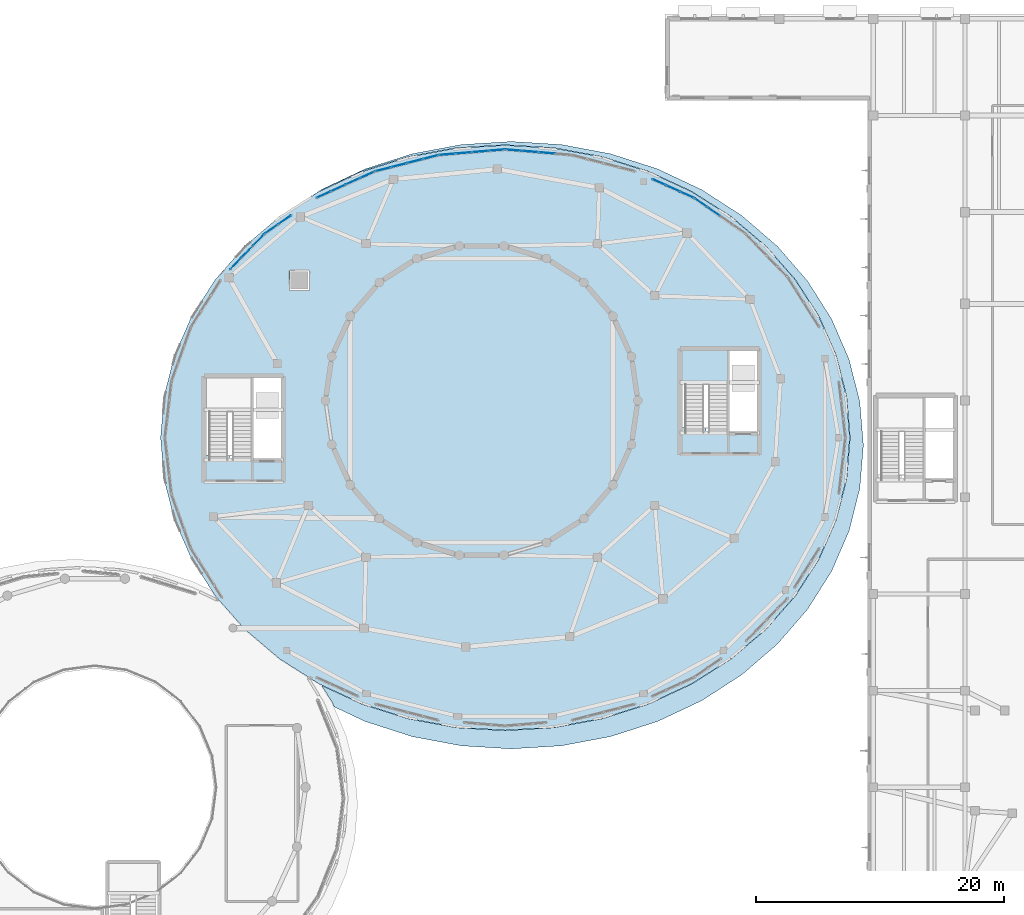
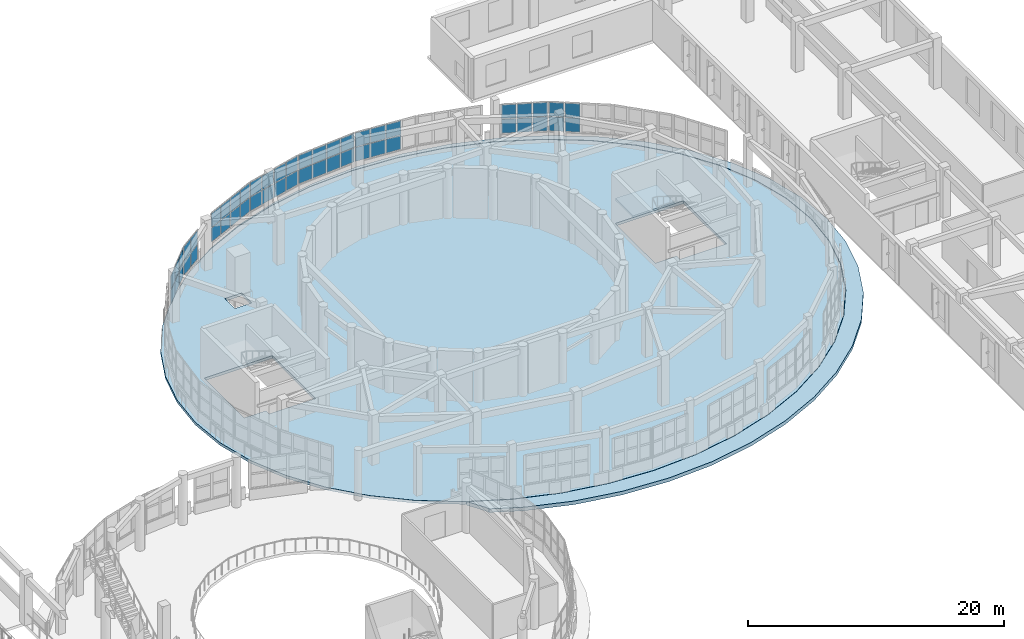
# One storey, part 64 of 98: 50 plates, 3 slabs, 9 elements without a shape of their own.
"""IFC4 building model written with IfcOpenShell, lengths in metres."""

from ifc_helpers import new_model, si_unit, direction, frame, origin, origin_2d, place, context, subcontext, project, spatial, polyline, rectangle, outline, extrude, material, layer, layer_set, type_object, element, aggregate, save


model = new_model("IFC4")

# Units and contexts
model_context = context("Model", 3, precision=1e-05, world=origin(), true_north=direction((0.0, 1.0)))
body_context = subcontext(model_context, "Body", "Model", "MODEL_VIEW")
ifc_project = project(units=[si_unit("LENGTHUNIT", "METRE"), si_unit("AREAUNIT", "SQUARE_METRE"), si_unit("VOLUMEUNIT", "CUBIC_METRE"), si_unit("PLANEANGLEUNIT", "RADIAN"), si_unit("MASSUNIT", "GRAM", prefix="KILO")], contexts=[model_context])

# Site, building, storey
site_placement = place(None, origin())
site = spatial("IfcSite", under=ifc_project, at=site_placement, CompositionType="ELEMENT")
building_placement = place(site_placement, origin())
building = spatial("IfcBuilding", under=site, at=building_placement, Name="Pelvatis Terrace Science Centre", CompositionType="ELEMENT")
storey_placement = place(building_placement, frame((0.0, 0.0, 5.39990234375)))
storey = spatial("IfcBuildingStorey", under=building, at=storey_placement, Name="L01", CompositionType="ELEMENT", Elevation=5.39990234375)

# Curtain wall, plates
ifc_material_1 = material(Name="Bronze-anodised aluminium and laminated glass", Category="aluminium")
ifc_layer_1 = layer(ifc_material_1, 0.199951171875)
ifc_layer_set_1 = layer_set([ifc_layer_1], Name="Bronze-anodised aluminium and laminated glass")
curtain_wall_type = type_object("IfcCurtainWallType", Name="CW-RIBBON-B", PredefinedType="NOTDEFINED", material=ifc_layer_set_1)
curtain_wall_1_placement = place(storey_placement, origin())
curtain_wall_1 = element("IfcCurtainWall", 1, at=curtain_wall_1_placement, inside=storey, type_object=curtain_wall_type, Name="Ribbon curtain wall CW-129 (L01)", PredefinedType="NOTDEFINED")
ifc_material_2 = material(Name="Low-e laminated solar-control double glazing", Category="glass")
ifc_layer_2 = layer(ifc_material_2, 0.031982421875)
ifc_layer_set_2 = layer_set([ifc_layer_2], Name="Low-e laminated solar-control double glazing")
plate_type = type_object("IfcPlateType", Name="CWP-IGU-32", PredefinedType="CURTAIN_PANEL", material=ifc_layer_set_2)
plate_1_placement = place(storey_placement, frame((127.910400390625, 101.04736328125, 1.0849609375), z_axis=(0.0, 0.0, 1.0), x_axis=(-0.82110913391, 0.570771224055, 0.0)))
plate_1 = element("IfcPlate", 2, at=plate_1_placement, type_object=plate_type, Name="CW-129 panel 3.1", PredefinedType="CURTAIN_PANEL", context=body_context, shape_type="SweptSolid", body=[
    extrude(rectangle(XDim=1.201416015625, YDim=0.031982421875, at=origin_2d()), origin(), (0.0, 0.0, 1.0), 1.322509765625),
])
plate_2_placement = place(storey_placement, frame((127.910400390625, 101.04736328125, 2.47265625), z_axis=(0.0, 0.0, 1.0), x_axis=(-0.82110913391, 0.570771224055, 0.0)))
plate_2 = element("IfcPlate", 3, at=plate_2_placement, type_object=plate_type, Name="CW-129 panel 3.2", PredefinedType="CURTAIN_PANEL", context=body_context, shape_type="SweptSolid", body=[
    extrude(rectangle(XDim=1.201416015625, YDim=0.031982421875, at=origin_2d()), origin(), (0.0, 0.0, 1.0), 1.322509765625),
])
plate_3_placement = place(storey_placement, frame((126.8837890625, 101.760986328125, 1.0849609375), z_axis=(0.0, 0.0, 1.0), x_axis=(-0.82110913391, 0.570771224055, 0.0)))
plate_3 = element("IfcPlate", 4, at=plate_3_placement, type_object=plate_type, Name="CW-129 panel 4.1", PredefinedType="CURTAIN_PANEL", context=body_context, shape_type="SweptSolid", body=[
    extrude(rectangle(XDim=1.1689453125, YDim=0.031982421875, at=origin_2d()), origin(), (0.0, 0.0, 1.0), 1.322509765625),
])
plate_4_placement = place(storey_placement, frame((126.8837890625, 101.760986328125, 2.47265625), z_axis=(0.0, 0.0, 1.0), x_axis=(-0.82110913391, 0.570771224055, 0.0)))
plate_4 = element("IfcPlate", 5, at=plate_4_placement, type_object=plate_type, Name="CW-129 panel 4.2", PredefinedType="CURTAIN_PANEL", context=body_context, shape_type="SweptSolid", body=[
    extrude(rectangle(XDim=1.1689453125, YDim=0.031982421875, at=origin_2d()), origin(), (0.0, 0.0, 1.0), 1.322509765625),
])
aggregate(curtain_wall_1, [plate_1, plate_2, plate_3, plate_4])

curtain_wall_2_placement = place(storey_placement, origin())
curtain_wall_2 = element("IfcCurtainWall", 6, at=curtain_wall_2_placement, inside=storey, type_object=curtain_wall_type, Name="Ribbon curtain wall CW-130 (L01)", PredefinedType="NOTDEFINED")
plate_5_placement = place(storey_placement, frame((125.765380859375, 102.396484375, 1.0849609375), z_axis=(0.0, 0.0, 1.0), x_axis=(-0.910989098671, 0.412430433047, 0.0)))
plate_5 = element("IfcPlate", 7, at=plate_5_placement, type_object=plate_type, Name="CW-130 panel 1.1", PredefinedType="CURTAIN_PANEL", context=body_context, shape_type="SweptSolid", body=[
    extrude(rectangle(XDim=1.154541015625, YDim=0.031982421875, at=origin_2d()), origin(), (0.0, 0.0, 1.0), 1.322509765625),
])
plate_6_placement = place(storey_placement, frame((125.765380859375, 102.396484375, 2.47265625), z_axis=(0.0, 0.0, 1.0), x_axis=(-0.910989098671, 0.412430433047, 0.0)))
plate_6 = element("IfcPlate", 8, at=plate_6_placement, type_object=plate_type, Name="CW-130 panel 1.2", PredefinedType="CURTAIN_PANEL", context=body_context, shape_type="SweptSolid", body=[
    extrude(rectangle(XDim=1.154541015625, YDim=0.031982421875, at=origin_2d()), origin(), (0.0, 0.0, 1.0), 1.322509765625),
])
plate_7_placement = place(storey_placement, frame((124.6396484375, 102.90625, 1.0849609375), z_axis=(0.0, 0.0, 1.0), x_axis=(-0.910989098671, 0.412430433047, 0.0)))
plate_7 = element("IfcPlate", 9, at=plate_7_placement, type_object=plate_type, Name="CW-130 panel 2.1", PredefinedType="CURTAIN_PANEL", context=body_context, shape_type="SweptSolid", body=[
    extrude(rectangle(XDim=1.18701171875, YDim=0.031982421875, at=origin_2d()), origin(), (0.0, 0.0, 1.0), 1.322509765625),
])
plate_8_placement = place(storey_placement, frame((124.6396484375, 102.90625, 2.47265625), z_axis=(0.0, 0.0, 1.0), x_axis=(-0.910989098671, 0.412430433047, 0.0)))
plate_8 = element("IfcPlate", 10, at=plate_8_placement, type_object=plate_type, Name="CW-130 panel 2.2", PredefinedType="CURTAIN_PANEL", context=body_context, shape_type="SweptSolid", body=[
    extrude(rectangle(XDim=1.18701171875, YDim=0.031982421875, at=origin_2d()), origin(), (0.0, 0.0, 1.0), 1.322509765625),
])
plate_9_placement = place(storey_placement, frame((123.513671875, 103.416015625, 1.0849609375), z_axis=(0.0, 0.0, 1.0), x_axis=(-0.910989098671, 0.412430433047, 0.0)))
plate_9 = element("IfcPlate", 11, at=plate_9_placement, type_object=plate_type, Name="CW-130 panel 3.1", PredefinedType="CURTAIN_PANEL", context=body_context, shape_type="SweptSolid", body=[
    extrude(rectangle(XDim=1.154541015625, YDim=0.031982421875, at=origin_2d()), origin(), (0.0, 0.0, 1.0), 1.322509765625),
])
plate_10_placement = place(storey_placement, frame((123.513671875, 103.416015625, 2.47265625), z_axis=(0.0, 0.0, 1.0), x_axis=(-0.910989098671, 0.412430433047, 0.0)))
plate_10 = element("IfcPlate", 12, at=plate_10_placement, type_object=plate_type, Name="CW-130 panel 3.2", PredefinedType="CURTAIN_PANEL", context=body_context, shape_type="SweptSolid", body=[
    extrude(rectangle(XDim=1.154541015625, YDim=0.031982421875, at=origin_2d()), origin(), (0.0, 0.0, 1.0), 1.322509765625),
])
aggregate(curtain_wall_2, [plate_5, plate_6, plate_7, plate_8, plate_9, plate_10])

curtain_wall_3_placement = place(storey_placement, origin())
curtain_wall_3 = element("IfcCurtainWall", 13, at=curtain_wall_3_placement, inside=storey, type_object=curtain_wall_type, Name="Ribbon curtain wall CW-132 (L01)", PredefinedType="NOTDEFINED")
plate_11_placement = place(storey_placement, frame((114.447021484375, 105.770751953125, 1.0849609375), z_axis=(0.0, 0.0, 1.0), x_axis=(-0.996539081522, 0.083125561645, 0.0)))
plate_11 = element("IfcPlate", 14, at=plate_11_placement, type_object=plate_type, Name="CW-132 panel 2.1", PredefinedType="CURTAIN_PANEL", context=body_context, shape_type="SweptSolid", body=[
    extrude(rectangle(XDim=1.278564453125, YDim=0.031982421875, at=origin_2d()), origin(), (0.0, 0.0, 1.0), 1.322509765625),
])
plate_12_placement = place(storey_placement, frame((114.447021484375, 105.770751953125, 2.47265625), z_axis=(0.0, 0.0, 1.0), x_axis=(-0.996539081522, 0.083125561645, 0.0)))
plate_12 = element("IfcPlate", 15, at=plate_12_placement, type_object=plate_type, Name="CW-132 panel 2.2", PredefinedType="CURTAIN_PANEL", context=body_context, shape_type="SweptSolid", body=[
    extrude(rectangle(XDim=1.278564453125, YDim=0.031982421875, at=origin_2d()), origin(), (0.0, 0.0, 1.0), 1.322509765625),
])
plate_13_placement = place(storey_placement, frame((113.108154296875, 105.882568359375, 1.0849609375), z_axis=(0.0, 0.0, 1.0), x_axis=(-0.996539081522, 0.083125561645, 0.0)))
plate_13 = element("IfcPlate", 16, at=plate_13_placement, type_object=plate_type, Name="CW-132 panel 3.1", PredefinedType="CURTAIN_PANEL", context=body_context, shape_type="SweptSolid", body=[
    extrude(rectangle(XDim=1.278564453125, YDim=0.031982421875, at=origin_2d()), origin(), (0.0, 0.0, 1.0), 1.322509765625),
])
plate_14_placement = place(storey_placement, frame((113.108154296875, 105.882568359375, 2.47265625), z_axis=(0.0, 0.0, 1.0), x_axis=(-0.996539081522, 0.083125561645, 0.0)))
plate_14 = element("IfcPlate", 17, at=plate_14_placement, type_object=plate_type, Name="CW-132 panel 3.2", PredefinedType="CURTAIN_PANEL", context=body_context, shape_type="SweptSolid", body=[
    extrude(rectangle(XDim=1.278564453125, YDim=0.031982421875, at=origin_2d()), origin(), (0.0, 0.0, 1.0), 1.322509765625),
])
plate_15_placement = place(storey_placement, frame((111.78564453125, 105.992919921875, 1.0849609375), z_axis=(0.0, 0.0, 1.0), x_axis=(-0.996539081522, 0.083125561645, 0.0)))
plate_15 = element("IfcPlate", 18, at=plate_15_placement, type_object=plate_type, Name="CW-132 panel 4.1", PredefinedType="CURTAIN_PANEL", context=body_context, shape_type="SweptSolid", body=[
    extrude(rectangle(XDim=1.245849609375, YDim=0.031982421875, at=origin_2d()), origin(), (0.0, 0.0, 1.0), 1.322509765625),
])
plate_16_placement = place(storey_placement, frame((111.78564453125, 105.992919921875, 2.47265625), z_axis=(0.0, 0.0, 1.0), x_axis=(-0.996539081522, 0.083125561645, 0.0)))
plate_16 = element("IfcPlate", 19, at=plate_16_placement, type_object=plate_type, Name="CW-132 panel 4.2", PredefinedType="CURTAIN_PANEL", context=body_context, shape_type="SweptSolid", body=[
    extrude(rectangle(XDim=1.245849609375, YDim=0.031982421875, at=origin_2d()), origin(), (0.0, 0.0, 1.0), 1.322509765625),
])
aggregate(curtain_wall_3, [plate_11, plate_12, plate_13, plate_14, plate_15, plate_16])

curtain_wall_4_placement = place(storey_placement, origin())
curtain_wall_4 = element("IfcCurtainWall", 20, at=curtain_wall_4_placement, inside=storey, type_object=curtain_wall_type, Name="Ribbon curtain wall CW-133 (L01)", PredefinedType="NOTDEFINED")
plate_17_placement = place(storey_placement, frame((110.414306640625, 105.992919921875, 1.0849609375), z_axis=(0.0, 0.0, 1.0), x_axis=(-0.996539081522, -0.083125561645, 0.0)))
plate_17 = element("IfcPlate", 21, at=plate_17_placement, type_object=plate_type, Name="CW-133 panel 1.1", PredefinedType="CURTAIN_PANEL", context=body_context, shape_type="SweptSolid", body=[
    extrude(rectangle(XDim=1.245849609375, YDim=0.031982421875, at=origin_2d()), origin(), (0.0, 0.0, 1.0), 1.322509765625),
])
plate_18_placement = place(storey_placement, frame((110.414306640625, 105.992919921875, 2.47265625), z_axis=(0.0, 0.0, 1.0), x_axis=(-0.996539081522, -0.083125561645, 0.0)))
plate_18 = element("IfcPlate", 22, at=plate_18_placement, type_object=plate_type, Name="CW-133 panel 1.2", PredefinedType="CURTAIN_PANEL", context=body_context, shape_type="SweptSolid", body=[
    extrude(rectangle(XDim=1.245849609375, YDim=0.031982421875, at=origin_2d()), origin(), (0.0, 0.0, 1.0), 1.322509765625),
])
plate_19_placement = place(storey_placement, frame((109.091796875, 105.882568359375, 1.0849609375), z_axis=(0.0, 0.0, 1.0), x_axis=(-0.996539081522, -0.083125561645, 0.0)))
plate_19 = element("IfcPlate", 23, at=plate_19_placement, type_object=plate_type, Name="CW-133 panel 2.1", PredefinedType="CURTAIN_PANEL", context=body_context, shape_type="SweptSolid", body=[
    extrude(rectangle(XDim=1.278564453125, YDim=0.031982421875, at=origin_2d()), origin(), (0.0, 0.0, 1.0), 1.322509765625),
])
plate_20_placement = place(storey_placement, frame((109.091796875, 105.882568359375, 2.47265625), z_axis=(0.0, 0.0, 1.0), x_axis=(-0.996539081522, -0.083125561645, 0.0)))
plate_20 = element("IfcPlate", 24, at=plate_20_placement, type_object=plate_type, Name="CW-133 panel 2.2", PredefinedType="CURTAIN_PANEL", context=body_context, shape_type="SweptSolid", body=[
    extrude(rectangle(XDim=1.278564453125, YDim=0.031982421875, at=origin_2d()), origin(), (0.0, 0.0, 1.0), 1.322509765625),
])
plate_21_placement = place(storey_placement, frame((107.7529296875, 105.770751953125, 1.0849609375), z_axis=(0.0, 0.0, 1.0), x_axis=(-0.996539081522, -0.083125561645, 0.0)))
plate_21 = element("IfcPlate", 25, at=plate_21_placement, type_object=plate_type, Name="CW-133 panel 3.1", PredefinedType="CURTAIN_PANEL", context=body_context, shape_type="SweptSolid", body=[
    extrude(rectangle(XDim=1.278564453125, YDim=0.031982421875, at=origin_2d()), origin(), (0.0, 0.0, 1.0), 1.322509765625),
])
plate_22_placement = place(storey_placement, frame((107.7529296875, 105.770751953125, 2.47265625), z_axis=(0.0, 0.0, 1.0), x_axis=(-0.996539081522, -0.083125561645, 0.0)))
plate_22 = element("IfcPlate", 26, at=plate_22_placement, type_object=plate_type, Name="CW-133 panel 3.2", PredefinedType="CURTAIN_PANEL", context=body_context, shape_type="SweptSolid", body=[
    extrude(rectangle(XDim=1.278564453125, YDim=0.031982421875, at=origin_2d()), origin(), (0.0, 0.0, 1.0), 1.322509765625),
])
plate_23_placement = place(storey_placement, frame((106.430419921875, 105.660400390625, 1.0849609375), z_axis=(0.0, 0.0, 1.0), x_axis=(-0.996539081522, -0.083125561645, 0.0)))
plate_23 = element("IfcPlate", 27, at=plate_23_placement, type_object=plate_type, Name="CW-133 panel 4.1", PredefinedType="CURTAIN_PANEL", context=body_context, shape_type="SweptSolid", body=[
    extrude(rectangle(XDim=1.245849609375, YDim=0.031982421875, at=origin_2d()), origin(), (0.0, 0.0, 1.0), 1.322509765625),
])
plate_24_placement = place(storey_placement, frame((106.430419921875, 105.660400390625, 2.47265625), z_axis=(0.0, 0.0, 1.0), x_axis=(-0.996539081522, -0.083125561645, 0.0)))
plate_24 = element("IfcPlate", 28, at=plate_24_placement, type_object=plate_type, Name="CW-133 panel 4.2", PredefinedType="CURTAIN_PANEL", context=body_context, shape_type="SweptSolid", body=[
    extrude(rectangle(XDim=1.245849609375, YDim=0.031982421875, at=origin_2d()), origin(), (0.0, 0.0, 1.0), 1.322509765625),
])
aggregate(curtain_wall_4, [plate_17, plate_18, plate_19, plate_20, plate_21, plate_22, plate_23, plate_24])

curtain_wall_5_placement = place(storey_placement, origin())
curtain_wall_5 = element("IfcCurtainWall", 29, at=curtain_wall_5_placement, inside=storey, type_object=curtain_wall_type, Name="Ribbon curtain wall CW-134 (L01)", PredefinedType="NOTDEFINED")
plate_25_placement = place(storey_placement, frame((105.08544921875, 105.433837890625, 1.0849609375), z_axis=(0.0, 0.0, 1.0), x_axis=(-0.968540871852, -0.248854534923, 0.0)))
plate_25 = element("IfcPlate", 30, at=plate_25_placement, type_object=plate_type, Name="CW-134 panel 1.1", PredefinedType="CURTAIN_PANEL", context=body_context, shape_type="SweptSolid", body=[
    extrude(rectangle(XDim=1.231689453125, YDim=0.031982421875, at=origin_2d()), origin(), (0.0, 0.0, 1.0), 1.322509765625),
])
plate_26_placement = place(storey_placement, frame((105.08544921875, 105.433837890625, 2.47265625), z_axis=(0.0, 0.0, 1.0), x_axis=(-0.968540871852, -0.248854534923, 0.0)))
plate_26 = element("IfcPlate", 31, at=plate_26_placement, type_object=plate_type, Name="CW-134 panel 1.2", PredefinedType="CURTAIN_PANEL", context=body_context, shape_type="SweptSolid", body=[
    extrude(rectangle(XDim=1.231689453125, YDim=0.031982421875, at=origin_2d()), origin(), (0.0, 0.0, 1.0), 1.322509765625),
])
plate_27_placement = place(storey_placement, frame((103.813720703125, 105.107177734375, 1.0849609375), z_axis=(0.0, 0.0, 1.0), x_axis=(-0.968540871852, -0.248854534923, 0.0)))
plate_27 = element("IfcPlate", 32, at=plate_27_placement, type_object=plate_type, Name="CW-134 panel 2.1", PredefinedType="CURTAIN_PANEL", context=body_context, shape_type="SweptSolid", body=[
    extrude(rectangle(XDim=1.26416015625, YDim=0.031982421875, at=origin_2d()), origin(), (0.0, 0.0, 1.0), 1.322509765625),
])
plate_28_placement = place(storey_placement, frame((103.813720703125, 105.107177734375, 2.47265625), z_axis=(0.0, 0.0, 1.0), x_axis=(-0.968540871852, -0.248854534923, 0.0)))
plate_28 = element("IfcPlate", 33, at=plate_28_placement, type_object=plate_type, Name="CW-134 panel 2.2", PredefinedType="CURTAIN_PANEL", context=body_context, shape_type="SweptSolid", body=[
    extrude(rectangle(XDim=1.26416015625, YDim=0.031982421875, at=origin_2d()), origin(), (0.0, 0.0, 1.0), 1.322509765625),
])
plate_29_placement = place(storey_placement, frame((102.5263671875, 104.7763671875, 1.0849609375), z_axis=(0.0, 0.0, 1.0), x_axis=(-0.968540871852, -0.248854534923, 0.0)))
plate_29 = element("IfcPlate", 34, at=plate_29_placement, type_object=plate_type, Name="CW-134 panel 3.1", PredefinedType="CURTAIN_PANEL", context=body_context, shape_type="SweptSolid", body=[
    extrude(rectangle(XDim=1.26416015625, YDim=0.031982421875, at=origin_2d()), origin(), (0.0, 0.0, 1.0), 1.322509765625),
])
plate_30_placement = place(storey_placement, frame((102.5263671875, 104.7763671875, 2.47265625), z_axis=(0.0, 0.0, 1.0), x_axis=(-0.968540871852, -0.248854534923, 0.0)))
plate_30 = element("IfcPlate", 35, at=plate_30_placement, type_object=plate_type, Name="CW-134 panel 3.2", PredefinedType="CURTAIN_PANEL", context=body_context, shape_type="SweptSolid", body=[
    extrude(rectangle(XDim=1.26416015625, YDim=0.031982421875, at=origin_2d()), origin(), (0.0, 0.0, 1.0), 1.322509765625),
])
plate_31_placement = place(storey_placement, frame((101.254638671875, 104.44970703125, 1.0849609375), z_axis=(0.0, 0.0, 1.0), x_axis=(-0.968540871852, -0.248854534923, 0.0)))
plate_31 = element("IfcPlate", 36, at=plate_31_placement, type_object=plate_type, Name="CW-134 panel 4.1", PredefinedType="CURTAIN_PANEL", context=body_context, shape_type="SweptSolid", body=[
    extrude(rectangle(XDim=1.231689453125, YDim=0.031982421875, at=origin_2d()), origin(), (0.0, 0.0, 1.0), 1.322509765625),
])
plate_32_placement = place(storey_placement, frame((101.254638671875, 104.44970703125, 2.47265625), z_axis=(0.0, 0.0, 1.0), x_axis=(-0.968540871852, -0.248854534923, 0.0)))
plate_32 = element("IfcPlate", 37, at=plate_32_placement, type_object=plate_type, Name="CW-134 panel 4.2", PredefinedType="CURTAIN_PANEL", context=body_context, shape_type="SweptSolid", body=[
    extrude(rectangle(XDim=1.231689453125, YDim=0.031982421875, at=origin_2d()), origin(), (0.0, 0.0, 1.0), 1.322509765625),
])
aggregate(curtain_wall_5, [plate_25, plate_26, plate_27, plate_28, plate_29, plate_30, plate_31, plate_32])

curtain_wall_6_placement = place(storey_placement, origin())
curtain_wall_6 = element("IfcCurtainWall", 38, at=curtain_wall_6_placement, inside=storey, type_object=curtain_wall_type, Name="Ribbon curtain wall CW-135 (L01)", PredefinedType="NOTDEFINED")
plate_33_placement = place(storey_placement, frame((99.9873046875, 104.0048828125, 1.0849609375), z_axis=(0.0, 0.0, 1.0), x_axis=(-0.910989971732, -0.412428504596, 0.0)))
plate_33 = element("IfcPlate", 39, at=plate_33_placement, type_object=plate_type, Name="CW-135 panel 1.1", PredefinedType="CURTAIN_PANEL", context=body_context, shape_type="SweptSolid", body=[
    extrude(rectangle(XDim=1.204833984375, YDim=0.031982421875, at=origin_2d()), origin(), (0.0, 0.0, 1.0), 1.322509765625),
])
plate_34_placement = place(storey_placement, frame((99.9873046875, 104.0048828125, 2.47265625), z_axis=(0.0, 0.0, 1.0), x_axis=(-0.910989971732, -0.412428504596, 0.0)))
plate_34 = element("IfcPlate", 40, at=plate_34_placement, type_object=plate_type, Name="CW-135 panel 1.2", PredefinedType="CURTAIN_PANEL", context=body_context, shape_type="SweptSolid", body=[
    extrude(rectangle(XDim=1.204833984375, YDim=0.031982421875, at=origin_2d()), origin(), (0.0, 0.0, 1.0), 1.322509765625),
])
plate_35_placement = place(storey_placement, frame((98.815673828125, 103.474609375, 1.0849609375), z_axis=(0.0, 0.0, 1.0), x_axis=(-0.910989971732, -0.412428504596, 0.0)))
plate_35 = element("IfcPlate", 41, at=plate_35_placement, type_object=plate_type, Name="CW-135 panel 2.1", PredefinedType="CURTAIN_PANEL", context=body_context, shape_type="SweptSolid", body=[
    extrude(rectangle(XDim=1.2373046875, YDim=0.031982421875, at=origin_2d()), origin(), (0.0, 0.0, 1.0), 1.322509765625),
])
plate_36_placement = place(storey_placement, frame((98.815673828125, 103.474609375, 2.47265625), z_axis=(0.0, 0.0, 1.0), x_axis=(-0.910989971732, -0.412428504596, 0.0)))
plate_36 = element("IfcPlate", 42, at=plate_36_placement, type_object=plate_type, Name="CW-135 panel 2.2", PredefinedType="CURTAIN_PANEL", context=body_context, shape_type="SweptSolid", body=[
    extrude(rectangle(XDim=1.2373046875, YDim=0.031982421875, at=origin_2d()), origin(), (0.0, 0.0, 1.0), 1.322509765625),
])
plate_37_placement = place(storey_placement, frame((97.629150390625, 102.9375, 1.0849609375), z_axis=(0.0, 0.0, 1.0), x_axis=(-0.910989971732, -0.412428504596, 0.0)))
plate_37 = element("IfcPlate", 43, at=plate_37_placement, type_object=plate_type, Name="CW-135 panel 3.1", PredefinedType="CURTAIN_PANEL", context=body_context, shape_type="SweptSolid", body=[
    extrude(rectangle(XDim=1.2373046875, YDim=0.031982421875, at=origin_2d()), origin(), (0.0, 0.0, 1.0), 1.322509765625),
])
plate_38_placement = place(storey_placement, frame((97.629150390625, 102.9375, 2.47265625), z_axis=(0.0, 0.0, 1.0), x_axis=(-0.910989971732, -0.412428504596, 0.0)))
plate_38 = element("IfcPlate", 44, at=plate_38_placement, type_object=plate_type, Name="CW-135 panel 3.2", PredefinedType="CURTAIN_PANEL", context=body_context, shape_type="SweptSolid", body=[
    extrude(rectangle(XDim=1.2373046875, YDim=0.031982421875, at=origin_2d()), origin(), (0.0, 0.0, 1.0), 1.322509765625),
])
plate_39_placement = place(storey_placement, frame((96.45751953125, 102.406982421875, 1.0849609375), z_axis=(0.0, 0.0, 1.0), x_axis=(-0.910989971732, -0.412428504596, 0.0)))
plate_39 = element("IfcPlate", 45, at=plate_39_placement, type_object=plate_type, Name="CW-135 panel 4.1", PredefinedType="CURTAIN_PANEL", context=body_context, shape_type="SweptSolid", body=[
    extrude(rectangle(XDim=1.204833984375, YDim=0.031982421875, at=origin_2d()), origin(), (0.0, 0.0, 1.0), 1.322509765625),
])
plate_40_placement = place(storey_placement, frame((96.45751953125, 102.406982421875, 2.47265625), z_axis=(0.0, 0.0, 1.0), x_axis=(-0.910989971732, -0.412428504596, 0.0)))
plate_40 = element("IfcPlate", 46, at=plate_40_placement, type_object=plate_type, Name="CW-135 panel 4.2", PredefinedType="CURTAIN_PANEL", context=body_context, shape_type="SweptSolid", body=[
    extrude(rectangle(XDim=1.204833984375, YDim=0.031982421875, at=origin_2d()), origin(), (0.0, 0.0, 1.0), 1.322509765625),
])
aggregate(curtain_wall_6, [plate_33, plate_34, plate_35, plate_36, plate_37, plate_38, plate_39, plate_40])

curtain_wall_7_placement = place(storey_placement, origin())
curtain_wall_7 = element("IfcCurtainWall", 47, at=curtain_wall_7_placement, inside=storey, type_object=curtain_wall_type, Name="Ribbon curtain wall CW-136 (L01)", PredefinedType="NOTDEFINED")
plate_41_placement = place(storey_placement, frame((93.310791015625, 100.366943359375, 1.0849609375), z_axis=(0.0, 0.0, 1.0), x_axis=(-0.821121738402, -0.570753090857, 0.0)))
plate_41 = element("IfcPlate", 48, at=plate_41_placement, type_object=plate_type, Name="CW-136 panel 1.1", PredefinedType="CURTAIN_PANEL", context=body_context, shape_type="SweptSolid", body=[
    extrude(rectangle(XDim=1.229248046875, YDim=0.031982421875, at=origin_2d()), origin(), (0.0, 0.0, 1.0), 1.322509765625),
])
plate_42_placement = place(storey_placement, frame((93.310791015625, 100.366943359375, 2.47265625), z_axis=(0.0, 0.0, 1.0), x_axis=(-0.821121738402, -0.570753090857, 0.0)))
plate_42 = element("IfcPlate", 49, at=plate_42_placement, type_object=plate_type, Name="CW-136 panel 1.2", PredefinedType="CURTAIN_PANEL", context=body_context, shape_type="SweptSolid", body=[
    extrude(rectangle(XDim=1.229248046875, YDim=0.031982421875, at=origin_2d()), origin(), (0.0, 0.0, 1.0), 1.322509765625),
])
plate_43_placement = place(storey_placement, frame((92.248046875, 99.628173828125, 1.0849609375), z_axis=(0.0, 0.0, 1.0), x_axis=(-0.821121738402, -0.570753090857, 0.0)))
plate_43 = element("IfcPlate", 50, at=plate_43_placement, type_object=plate_type, Name="CW-136 panel 2.1", PredefinedType="CURTAIN_PANEL", context=body_context, shape_type="SweptSolid", body=[
    extrude(rectangle(XDim=1.229248046875, YDim=0.031982421875, at=origin_2d()), origin(), (0.0, 0.0, 1.0), 1.322509765625),
])
plate_44_placement = place(storey_placement, frame((92.248046875, 99.628173828125, 2.47265625), z_axis=(0.0, 0.0, 1.0), x_axis=(-0.821121738402, -0.570753090857, 0.0)))
plate_44 = element("IfcPlate", 51, at=plate_44_placement, type_object=plate_type, Name="CW-136 panel 2.2", PredefinedType="CURTAIN_PANEL", context=body_context, shape_type="SweptSolid", body=[
    extrude(rectangle(XDim=1.229248046875, YDim=0.031982421875, at=origin_2d()), origin(), (0.0, 0.0, 1.0), 1.322509765625),
])
aggregate(curtain_wall_7, [plate_41, plate_42, plate_43, plate_44])

curtain_wall_8_placement = place(storey_placement, origin())
curtain_wall_8 = element("IfcCurtainWall", 52, at=curtain_wall_8_placement, inside=storey, type_object=curtain_wall_type, Name="Ribbon curtain wall CW-137 (L01)", PredefinedType="NOTDEFINED")
plate_45_placement = place(storey_placement, frame((91.211181640625, 98.74609375, 1.0849609375), z_axis=(0.0, 0.0, 1.0), x_axis=(-0.695867996837, -0.718169709037, 0.0)))
plate_45 = element("IfcPlate", 53, at=plate_45_placement, type_object=plate_type, Name="CW-137 panel 1.1", PredefinedType="CURTAIN_PANEL", context=body_context, shape_type="SweptSolid", body=[
    extrude(rectangle(XDim=1.24609375, YDim=0.031982421875, at=origin_2d()), origin(), (0.0, 0.0, 1.0), 1.322509765625),
])
plate_46_placement = place(storey_placement, frame((91.211181640625, 98.74609375, 2.47265625), z_axis=(0.0, 0.0, 1.0), x_axis=(-0.695867996837, -0.718169709037, 0.0)))
plate_46 = element("IfcPlate", 54, at=plate_46_placement, type_object=plate_type, Name="CW-137 panel 1.2", PredefinedType="CURTAIN_PANEL", context=body_context, shape_type="SweptSolid", body=[
    extrude(rectangle(XDim=1.24609375, YDim=0.031982421875, at=origin_2d()), origin(), (0.0, 0.0, 1.0), 1.322509765625),
])
plate_47_placement = place(storey_placement, frame((90.287353515625, 97.792724609375, 1.0849609375), z_axis=(0.0, 0.0, 1.0), x_axis=(-0.695867996837, -0.718169709037, 0.0)))
plate_47 = element("IfcPlate", 55, at=plate_47_placement, type_object=plate_type, Name="CW-137 panel 2.1", PredefinedType="CURTAIN_PANEL", context=body_context, shape_type="SweptSolid", body=[
    extrude(rectangle(XDim=1.27880859375, YDim=0.031982421875, at=origin_2d()), origin(), (0.0, 0.0, 1.0), 1.322509765625),
])
plate_48_placement = place(storey_placement, frame((90.287353515625, 97.792724609375, 2.47265625), z_axis=(0.0, 0.0, 1.0), x_axis=(-0.695867996837, -0.718169709037, 0.0)))
plate_48 = element("IfcPlate", 56, at=plate_48_placement, type_object=plate_type, Name="CW-137 panel 2.2", PredefinedType="CURTAIN_PANEL", context=body_context, shape_type="SweptSolid", body=[
    extrude(rectangle(XDim=1.27880859375, YDim=0.031982421875, at=origin_2d()), origin(), (0.0, 0.0, 1.0), 1.322509765625),
])
plate_49_placement = place(storey_placement, frame((89.363525390625, 96.83935546875, 1.0849609375), z_axis=(0.0, 0.0, 1.0), x_axis=(-0.695867996837, -0.718169709037, 0.0)))
plate_49 = element("IfcPlate", 57, at=plate_49_placement, type_object=plate_type, Name="CW-137 panel 3.1", PredefinedType="CURTAIN_PANEL", context=body_context, shape_type="SweptSolid", body=[
    extrude(rectangle(XDim=1.24609375, YDim=0.031982421875, at=origin_2d()), origin(), (0.0, 0.0, 1.0), 1.322509765625),
])
plate_50_placement = place(storey_placement, frame((89.363525390625, 96.83935546875, 2.47265625), z_axis=(0.0, 0.0, 1.0), x_axis=(-0.695867996837, -0.718169709037, 0.0)))
plate_50 = element("IfcPlate", 58, at=plate_50_placement, type_object=plate_type, Name="CW-137 panel 3.2", PredefinedType="CURTAIN_PANEL", context=body_context, shape_type="SweptSolid", body=[
    extrude(rectangle(XDim=1.24609375, YDim=0.031982421875, at=origin_2d()), origin(), (0.0, 0.0, 1.0), 1.322509765625),
])
aggregate(curtain_wall_8, [plate_45, plate_46, plate_47, plate_48, plate_49, plate_50])

# Slab
ifc_material_3 = material(Name="Concrete C35/45", Category="concrete")
ifc_layer_3 = layer(ifc_material_3, 0.260009765625)
ifc_layer_set_3 = layer_set([ifc_layer_3], Name="Concrete C35/45")
slab_type_1 = type_object("IfcSlabType", Name="SLB-FLR-260", PredefinedType="FLOOR", material=ifc_layer_set_3)
slab_1_placement = place(storey_placement, frame((0.0, 0.0, -0.260009765625)))
element("IfcSlab", 59, at=slab_1_placement, inside=storey, type_object=slab_type_1, Name="L01 Spiral drum optics gallery slab", PredefinedType="FLOOR", context=body_context, shape_type="SweptSolid", body=[
    extrude(outline(polyline([(138.616943359375, 79.44140625), (137.77392578125, 76.151123046875), (136.3876953125, 72.99609375), (134.48681640625, 70.041015625), (132.10986328125, 67.34521484375), (129.30517578125, 64.96435546875), (126.1298828125, 62.9462890625), (122.6484375, 61.332763671875), (118.93212890625, 60.156005859375), (115.056396484375, 59.440185546875), (111.10009765625, 59.199951171875), (107.1435546875, 59.440185546875), (103.267822265625, 60.156005859375), (99.551513671875, 61.332763671875), (96.0703125, 62.9462890625), (92.89501953125, 64.96435546875), (90.090087890625, 67.34521484375), (87.713134765625, 70.041015625), (85.812255859375, 72.99609375), (84.426025390625, 76.151123046875), (83.5830078125, 79.44140625), (83.300048828125, 82.800048828125), (83.5830078125, 86.15869140625), (84.426025390625, 89.448974609375), (85.812255859375, 92.603759765625), (87.713134765625, 95.55908203125), (90.090087890625, 98.254638671875), (92.89501953125, 100.6357421875), (96.0703125, 102.653564453125), (99.551513671875, 104.267333984375), (103.267822265625, 105.444091796875), (107.1435546875, 106.159912109375), (111.10009765625, 106.39990234375), (115.056396484375, 106.159912109375), (118.93212890625, 105.444091796875), (122.6484375, 104.267333984375), (126.1298828125, 102.653564453125), (129.30517578125, 100.6357421875), (132.10986328125, 98.254638671875), (134.48681640625, 95.55908203125), (136.3876953125, 92.603759765625), (137.77392578125, 89.448974609375), (138.616943359375, 86.15869140625), (138.89990234375, 82.800048828125), (138.616943359375, 79.44140625)]), holes=[polyline([(86.919921875, 81.419921875), (88.8798828125, 81.419921875), (88.8798828125, 80.919921875), (93.080078125, 80.919921875), (93.080078125, 87.679931640625), (86.919921875, 87.679931640625), (86.919921875, 81.419921875)]), polyline([(125.320068359375, 89.8798828125), (125.320068359375, 83.6201171875), (127.280029296875, 83.6201171875), (127.280029296875, 83.1201171875), (131.47998046875, 83.1201171875), (131.47998046875, 89.8798828125), (125.320068359375, 89.8798828125)]), polyline([(93.72509765625, 96.27490234375), (93.72509765625, 94.72509765625), (95.27490234375, 94.72509765625), (95.27490234375, 96.27490234375), (93.72509765625, 96.27490234375)])]), origin(), (0.0, 0.0, 1.0), 0.260009765625),
])

# Stair, slab
ifc_material_4 = material(Name="Concrete C35/45", Category="concrete")
stair_type = type_object("IfcStairType", Name="STR-2RUN-1500-48", PredefinedType="TWO_STRAIGHT_RUN_STAIR", material=ifc_material_4)
stair_placement = place(storey_placement, origin())
stair = element("IfcStair", 60, at=stair_placement, inside=storey, type_object=stair_type, Name="Protected core stair ST-02-L01", PredefinedType="TWO_STRAIGHT_RUN_STAIR")
ifc_material_5 = material(Name="Concrete C35/45", Category="concrete")
ifc_layer_4 = layer(ifc_material_5, 0.199951171875)
ifc_layer_set_4 = layer_set([ifc_layer_4], Name="Concrete C35/45")
slab_type_2 = type_object("IfcSlabType", Name="SLB-LND-200", PredefinedType="LANDING", material=ifc_layer_set_4)
slab_2_placement = place(storey_placement, frame((0.0, 0.0, 2.2001953125)))
slab_2 = element("IfcSlab", 61, at=slab_2_placement, type_object=slab_type_2, Name="ST-02-L01 landing 1", PredefinedType="LANDING", context=body_context, shape_type="SweptSolid", body=[
    extrude(outline(polyline([(125.330078125, 87.10009765625), (129.050048828125, 87.10009765625), (129.050048828125, 89.8701171875), (125.330078125, 89.8701171875), (125.330078125, 87.10009765625)])), origin(), (0.0, 0.0, 1.0), 0.199951171875),
])
aggregate(stair, [slab_2])

# Slab
ifc_material_6 = material(Name="Concrete C35/45", Category="concrete")
ifc_layer_5 = layer(ifc_material_6, 0.342041015625)
ifc_layer_set_5 = layer_set([ifc_layer_5], Name="Concrete C35/45")
slab_type_3 = type_object("IfcSlabType", Name="SLB-ROOF-244", PredefinedType="ROOF", material=ifc_layer_set_5)
slab_3_placement = place(storey_placement, frame((0.0, 0.0, -0.341796875)))
element("IfcSlab", 62, at=slab_3_placement, inside=storey, type_object=slab_type_3, Name="L01 Upper drum base spiral step collar roof", PredefinedType="ROOF", context=body_context, shape_type="SweptSolid", body=[
    extrude(outline(polyline([(139.7109375, 78.71337890625), (138.849609375, 75.297607421875), (137.43359375, 72.022216796875), (135.49169921875, 68.954345703125), (133.063232421875, 66.156005859375), (130.197998046875, 63.68408203125), (126.9541015625, 61.58935546875), (123.397705078125, 59.9140625), (119.601318359375, 58.6923828125), (115.6416015625, 57.949462890625), (111.60009765625, 57.699951171875), (107.558349609375, 57.949462890625), (103.598876953125, 58.6923828125), (99.80224609375, 59.9140625), (97.30517578125, 61.090087890625), (97.156494140625, 61.435791015625), (96.282470703125, 62.825927734375), (99.54541015625, 61.313720703125), (103.26171875, 60.136962890625), (107.139892578125, 59.42041015625), (111.098876953125, 59.179931640625), (115.0576171875, 59.420166015625), (118.938232421875, 60.136962890625), (122.654541015625, 61.313720703125), (126.13818359375, 62.92822265625), (129.31591796875, 64.947509765625), (132.122802734375, 67.330078125), (134.502685546875, 70.02880859375), (136.404541015625, 72.9853515625), (137.792724609375, 76.14453125), (138.636474609375, 79.436279296875), (138.919921875, 82.8017578125), (138.63671875, 86.161865234375), (137.792724609375, 89.455322265625), (136.405517578125, 92.61328125), (134.502685546875, 95.5712890625), (132.122802734375, 98.27001953125), (129.31591796875, 100.652587890625), (126.13818359375, 102.671630859375), (122.656982421875, 104.285400390625), (118.935791015625, 105.463623046875), (115.0576171875, 106.1796875), (111.101318359375, 106.419921875), (107.142333984375, 106.1796875), (103.26416015625, 105.463623046875), (99.54541015625, 104.286376953125), (96.061767578125, 102.671630859375), (94.125732421875, 101.44140625), (96.245849609375, 102.810791015625), (99.80224609375, 104.486083984375), (103.598876953125, 105.70751953125), (107.558349609375, 106.45068359375), (111.60009765625, 106.699951171875), (115.6416015625, 106.45068359375), (119.601318359375, 105.70751953125), (123.397705078125, 104.486083984375), (126.9541015625, 102.810791015625), (130.197998046875, 100.7158203125), (133.063232421875, 98.244140625), (135.49169921875, 95.44580078125), (137.43359375, 92.377685546875), (138.849609375, 89.102294921875), (139.7109375, 85.686767578125), (140.0, 82.199951171875), (139.7109375, 78.71337890625)])), origin(), (0.0, 0.0, 1.0), 0.341796875),
])

save(model, "model.ifc")
